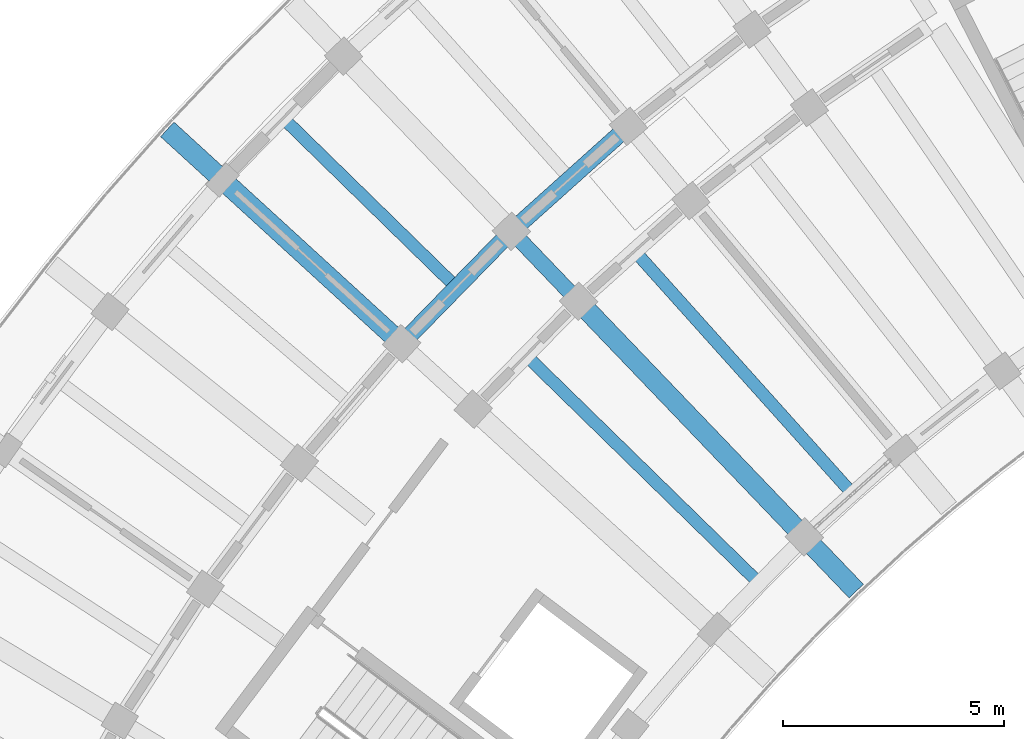
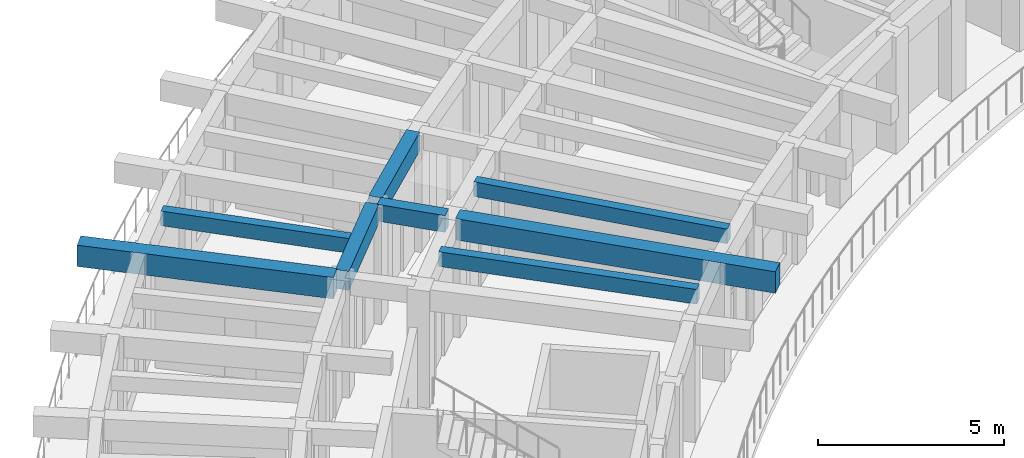
# One storey, part 39 of 128: 8 beams.
"""IFC4 building model written with IfcOpenShell, lengths in metres."""

import ifcopenshell
import ifcopenshell.guid

model = None  # the IFC model being written
_history = None  # IfcOwnerHistory: only IFC2X3 demands one
_inside = {}  # id of a spatial element -> (the spatial element, [elements in it])
_under = {}  # id of a project, library or spatial element -> (it, [spatial elements below it])
_declared = {}  # id of a project -> (the project, [libraries it declares])
_typed = {}  # id of a type object -> (the type object, [elements of that type])
_made_of = {}  # id of a material, layer set ... -> (it, [elements and type objects made of it])


def new_model(schema):
    """Start an empty IFC model of exactly this schema.

    Asked for "IFC4X3", IfcOpenShell would pick the latest addendum, in which some entities
    have other attributes; the version numbers below select the first issue.
    IFC2X3 requires an IfcOwnerHistory on every rooted entity: one is made here for all.
    """
    global model, _history
    if schema == "IFC4X3":
        model = ifcopenshell.file(schema_version=(4, 3, 0, 0))
    else:
        model = ifcopenshell.file(schema=schema)
    _inside.clear()
    _under.clear()
    _declared.clear()
    _typed.clear()
    _made_of.clear()
    _history = None
    if model.schema == "IFC2X3":
        org = make("IfcOrganization", Name="unknown")
        user = make(
            "IfcPersonAndOrganization",
            ThePerson=make("IfcPerson", FamilyName="unknown"),
            TheOrganization=org,
        )
        app = make(
            "IfcApplication",
            ApplicationDeveloper=org,
            Version="unknown",
            ApplicationFullName="unknown",
            ApplicationIdentifier="unknown",
        )
        _history = make(
            "IfcOwnerHistory",
            OwningUser=user,
            OwningApplication=app,
            ChangeAction="ADDED",
            CreationDate=0,
        )
    return model


def make(cls, **values):
    """One entity of the class cls with the attributes given. An attribute that is None is left unset."""
    return model.create_entity(
        cls, **{name: value for name, value in values.items() if value is not None}
    )


def rooted(cls, **values):
    """An entity with a GlobalId (a new one), such as an element, a storey or a relation."""
    return make(cls, GlobalId=ifcopenshell.guid.new(), OwnerHistory=_history, **values)


def si_unit(unit_type, name, prefix=None):
    """IfcSIUnit, for example si_unit("LENGTHUNIT", "METRE", prefix="MILLI")."""
    return make("IfcSIUnit", UnitType=unit_type, Prefix=prefix, Name=name)


def assignment(units):
    """IfcUnitAssignment: the units of a project."""
    return None if units is None else make("IfcUnitAssignment", Units=units)


def point(xyz):
    """IfcCartesianPoint."""
    return None if xyz is None else make("IfcCartesianPoint", Coordinates=xyz)


def direction(xyz):
    """IfcDirection."""
    return None if xyz is None else make("IfcDirection", DirectionRatios=xyz)


def frame(location, z_axis=None, x_axis=None):
    """IfcAxis2Placement3D, a coordinate frame: its origin and axes. An axis left out is left unset."""
    return make(
        "IfcAxis2Placement3D",
        Location=point(location),
        Axis=direction(z_axis),
        RefDirection=direction(x_axis),
    )


def frame_2d(location, x_axis=None):
    """IfcAxis2Placement2D, a coordinate frame in the plane: its origin and x axis."""
    return make(
        "IfcAxis2Placement2D", Location=point(location), RefDirection=direction(x_axis)
    )


def origin():
    """The frame at (0, 0, 0) with its axes left unset."""
    return frame((0.0, 0.0, 0.0))


def origin_2d():
    """The frame at (0, 0) in the plane with its x axis left unset."""
    return frame_2d((0.0, 0.0))


def place(relative_to, where):
    """IfcLocalPlacement: puts the frame where relative to a parent placement (None: the world)."""
    return make(
        "IfcLocalPlacement", PlacementRelTo=relative_to, RelativePlacement=where
    )


def context(
    kind, dimensions, precision=None, world=None, true_north=None, identifier=None
):
    """IfcGeometricRepresentationContext, for example the 3D "Model" context."""
    return make(
        "IfcGeometricRepresentationContext",
        ContextIdentifier=identifier,
        ContextType=kind,
        CoordinateSpaceDimension=dimensions,
        Precision=precision,
        WorldCoordinateSystem=world,
        TrueNorth=true_north,
    )


def subcontext(parent, identifier, kind, view, scale=None):
    """IfcGeometricRepresentationSubContext, for example "Body" below "Model"."""
    return make(
        "IfcGeometricRepresentationSubContext",
        ContextIdentifier=identifier,
        ContextType=kind,
        ParentContext=parent,
        TargetScale=scale,
        TargetView=view,
    )


def project(units=None, contexts=None):
    """IfcProject with its units and contexts."""
    return rooted(
        "IfcProject",
        Name="project",
        RepresentationContexts=contexts,
        UnitsInContext=assignment(units),
    )


def spatial(cls, under=None, at=None, **own):
    """A site, building, storey or space (cls), placed at a placement, below another one or the project."""
    s = rooted(cls, ObjectPlacement=at, **own)
    if under is not None:
        _under.setdefault(under.id(), (under, []))[1].append(s)
    return s


def profile(cls, at=None, kind="AREA", **sizes):
    """A parametric profile (cls). Its sizes go by their IFC names, for example OverallWidth=200.0."""
    return make(cls, ProfileType=kind, Position=at, **sizes)


def rectangle(**sizes):
    """IfcRectangleProfileDef."""
    return profile("IfcRectangleProfileDef", **sizes)


def extrude(swept, where, along, depth):
    """IfcExtrudedAreaSolid: the profile swept, set in the frame where, extruded along a direction by depth."""
    return make(
        "IfcExtrudedAreaSolid",
        SweptArea=swept,
        Position=where,
        ExtrudedDirection=direction(along),
        Depth=depth,
    )


def shape(context_of_items, identifier, shape_type, items):
    """IfcShapeRepresentation: the items that make up one representation, for example the "Body"."""
    return make(
        "IfcShapeRepresentation",
        ContextOfItems=context_of_items,
        RepresentationIdentifier=identifier,
        RepresentationType=shape_type,
        Items=items,
    )


def material(Name=None, Category=None):
    """IfcMaterial."""
    return make("IfcMaterial", Name=Name, Category=Category)


def material_profile(
    of_material, cross_section, Name=None, Category=None, Priority=None
):
    """IfcMaterialProfile: a cross section and its material."""
    return make(
        "IfcMaterialProfile",
        Name=Name,
        Material=of_material,
        Profile=cross_section,
        Priority=Priority,
        Category=Category,
    )


def profile_set(profiles, Name=None, composite=None):
    """IfcMaterialProfileSet."""
    return make(
        "IfcMaterialProfileSet",
        Name=Name,
        MaterialProfiles=profiles,
        CompositeProfile=composite,
    )


def made_of(thing, what):
    """Note that an element or type object is made of a material, layer set ...; save() writes the relation."""
    if what is not None:
        _made_of.setdefault(what.id(), (what, []))[1].append(thing)
    return thing


def type_object(cls, material=None, **own):
    """A type object (cls), such as IfcWallType, which elements share."""
    return made_of(rooted(cls, **own), material)


def element(
    cls,
    number,
    at=None,
    inside=None,
    cuts=None,
    type_object=None,
    material=None,
    context=None,
    identifier="Body",
    shape_type=None,
    held_by="IfcProductDefinitionShape",
    body=None,
    shapes=None,
    **own,
):
    """One element of the class cls, such as IfcWall. Its Tag is "e" and its number.

    at: its placement. inside: the storey or other place that contains it. cuts: it is an
    opening in that element (IfcRelVoidsElement). A single representation is given by context,
    identifier, shape_type and body (its items); several are given by shapes. held_by: the class
    of the entity that holds the representations. save() writes the other relations.
    """
    e = rooted(cls, Tag="e%d" % number, ObjectPlacement=at, **own)
    if body is not None:
        shapes = [shape(context, identifier, shape_type, body)]
    if shapes is not None:
        e.Representation = make(held_by, Representations=shapes)
    if inside is not None:
        _inside.setdefault(inside.id(), (inside, []))[1].append(e)
    if cuts is not None:
        rooted(
            "IfcRelVoidsElement", RelatingBuildingElement=cuts, RelatedOpeningElement=e
        )
    if type_object is not None:
        _typed.setdefault(type_object.id(), (type_object, []))[1].append(e)
    return made_of(e, material)


def aggregate(whole, parts):
    """IfcRelAggregates: a whole, such as a stair, and the parts it consists of."""
    return rooted("IfcRelAggregates", RelatingObject=whole, RelatedObjects=parts)


def save(model, path):
    """Write the relations noted so far, then the file.

    IfcRelAggregates (storeys below a building ...), IfcRelContainedInSpatialStructure (elements
    in a storey), IfcRelDefinesByType, IfcRelAssociatesMaterial and IfcRelDeclares: one each for
    every whole, place, type object, material and project.
    """
    for whole, parts in _under.values():
        aggregate(whole, parts)
    for where, things in _inside.values():
        rooted(
            "IfcRelContainedInSpatialStructure",
            RelatedElements=things,
            RelatingStructure=where,
        )
    for kind, things in _typed.values():
        rooted("IfcRelDefinesByType", RelatedObjects=things, RelatingType=kind)
    for what, things in _made_of.values():
        rooted("IfcRelAssociatesMaterial", RelatedObjects=things, RelatingMaterial=what)
    for by, libraries in _declared.values():
        rooted("IfcRelDeclares", RelatingContext=by, RelatedDefinitions=libraries)
    model.write(path)


model = new_model("IFC4")

# Units and contexts
model_context = context("Model", 3, precision=1e-05, world=origin(), true_north=direction((0.0, 1.0)))
body_context = subcontext(model_context, "Body", "Model", "MODEL_VIEW")
ifc_project = project(units=[si_unit("LENGTHUNIT", "METRE"), si_unit("AREAUNIT", "SQUARE_METRE"), si_unit("VOLUMEUNIT", "CUBIC_METRE"), si_unit("PLANEANGLEUNIT", "RADIAN"), si_unit("MASSUNIT", "GRAM", prefix="KILO")], contexts=[model_context])

# Site, building, storey
site_placement = place(None, origin())
site = spatial("IfcSite", under=ifc_project, at=site_placement, CompositionType="ELEMENT")
building_placement = place(site_placement, origin())
building = spatial("IfcBuilding", under=site, at=building_placement, Name="Tanwirah Colonnade Gardens", CompositionType="ELEMENT")
storey_placement = place(building_placement, frame((0.0, 0.0, 4.760009765625)))
storey = spatial("IfcBuildingStorey", under=building, at=storey_placement, Name="L01", CompositionType="ELEMENT", Elevation=4.760009765625)

# Beams
ifc_material_1 = material(Name="Precast concrete C40/50", Category="concrete")
ifc_material_profile_1 = material_profile(ifc_material_1, rectangle(XDim=0.35009765625, YDim=0.550048828125, at=origin_2d()), Name="PC-BM 350x550")
ifc_profile_set_1 = profile_set([ifc_material_profile_1], Name="Precast concrete C40/50")
beam_type_1 = type_object("IfcBeamType", Name="BM-PC350A", PredefinedType="BEAM", material=ifc_profile_set_1)
beam_1_placement = place(storey_placement, frame((29.023193359375, 97.74560546875, 3.550048828125), z_axis=(-0.691913735329, 0.721980181766, 0.0), x_axis=(-0.721980181766, -0.691913735329, 0.0)))
element("IfcBeam", 1, at=beam_1_placement, inside=storey, type_object=beam_type_1, Name="Block A L01 Corridor Tie Beam 10", PredefinedType="BEAM", context=body_context, shape_type="SweptSolid", body=[
    extrude(rectangle(XDim=0.35009765625, YDim=0.550048828125, at=origin_2d()), origin(), (0.0, 0.0, 1.0), 1.900146484375),
])
ifc_material_profile_2 = material_profile(ifc_material_1, rectangle(XDim=0.3798828125, YDim=0.6201171875, at=origin_2d()), Name="PC-BM 380x620")
ifc_profile_set_2 = profile_set([ifc_material_profile_2], Name="Precast concrete C40/50")
beam_type_2 = type_object("IfcBeamType", Name="BM-PC380", PredefinedType="BEAM", material=ifc_profile_set_2)
beam_2_placement = place(storey_placement, frame((30.145751953125, 101.504638671875, 3.514892578125), z_axis=(-0.744409136578, -0.667723773262, 0.0), x_axis=(0.667723773262, -0.744409136578, 0.0)))
element("IfcBeam", 2, at=beam_2_placement, inside=storey, type_object=beam_type_2, Name="Block A L01 Circumferential Beam 9-R2", PredefinedType="BEAM", context=body_context, shape_type="SweptSolid", body=[
    extrude(rectangle(XDim=0.3798828125, YDim=0.6201171875, at=origin_2d()), origin(), (0.0, 0.0, 1.0), 3.26318359375),
])
beam_3_placement = place(storey_placement, frame((27.5, 99.118408203125, 3.514892578125), z_axis=(-0.698829447339, -0.71528833594, 0.0), x_axis=(0.71528833594, -0.698829447339, 0.0)))
element("IfcBeam", 3, at=beam_3_placement, inside=storey, type_object=beam_type_2, Name="Block A L01 Circumferential Beam 10-R2", PredefinedType="BEAM", context=body_context, shape_type="SweptSolid", body=[
    extrude(rectangle(XDim=0.3798828125, YDim=0.6201171875, at=origin_2d()), origin(), (0.0, 0.0, 1.0), 3.263427734375),
])
ifc_material_2 = material(Name="Precast concrete C45/55", Category="concrete")
ifc_material_profile_3 = material_profile(ifc_material_2, rectangle(XDim=0.449951171875, YDim=0.699951171875, at=origin_2d()), Name="PC-BM 450x700")
ifc_profile_set_3 = profile_set([ifc_material_profile_3], Name="Precast concrete C45/55")
beam_type_3 = type_object("IfcBeamType", Name="BM-PC450", PredefinedType="BEAM", material=ifc_profile_set_3)
beam_4_placement = place(storey_placement, frame((29.230712890625, 97.52880859375, 3.47509765625), z_axis=(0.691860926595, -0.722030787606, 0.0), x_axis=(0.722030787606, 0.691860926595, 0.0)))
element("IfcBeam", 4, at=beam_4_placement, inside=storey, type_object=beam_type_3, Name="Block A L01 Inner Radial Precast Girder 10", PredefinedType="BEAM", context=body_context, shape_type="SweptSolid", body=[
    extrude(rectangle(XDim=0.449951171875, YDim=0.699951171875, at=origin_2d()), origin(), (0.0, 0.0, 1.0), 8.949951171875),
])
beam_5_placement = place(storey_placement, frame((25.004150390625, 96.7783203125, 3.47509765625), z_axis=(-0.737934199263, 0.674872667663, 0.0), x_axis=(-0.674872667663, -0.737934199263, 0.0)))
element("IfcBeam", 5, at=beam_5_placement, inside=storey, type_object=beam_type_3, Name="Block A L01 Outer Radial Precast Girder 11", PredefinedType="BEAM", context=body_context, shape_type="SweptSolid", body=[
    extrude(rectangle(XDim=0.449951171875, YDim=0.699951171875, at=origin_2d()), origin(), (0.0, 0.0, 1.0), 7.050048828125),
])
ifc_material_profile_4 = material_profile(ifc_material_1, rectangle(XDim=0.280029296875, YDim=0.47998046875, at=origin_2d()), Name="PC-JST 280x480")
ifc_profile_set_4 = profile_set([ifc_material_profile_4], Name="Precast concrete C40/50")
beam_type_4 = type_object("IfcBeamType", Name="JST-PC280", PredefinedType="JOIST", material=ifc_profile_set_4)
beam_6_placement = place(storey_placement, frame((35.2412109375, 93.379638671875, 3.5849609375), z_axis=(-0.667688404274, 0.744440860511, 0.0), x_axis=(-0.744440860511, -0.667688404274, 0.0)))
element("IfcBeam", 6, at=beam_6_placement, inside=storey, type_object=beam_type_4, Name="Block A L01 Inner Precast Floor Joist 9", PredefinedType="JOIST", context=body_context, shape_type="SweptSolid", body=[
    extrude(rectangle(XDim=0.280029296875, YDim=0.47998046875, at=origin_2d()), origin(), (0.0, 0.0, 1.0), 7.16015625),
])
beam_7_placement = place(storey_placement, frame((26.2529296875, 98.0556640625, 3.5849609375), z_axis=(-0.715297399369, 0.698820170327, 0.0), x_axis=(-0.698820170327, -0.715297399369, 0.0)))
element("IfcBeam", 7, at=beam_7_placement, inside=storey, type_object=beam_type_4, Name="Block A L01 Precast Floor Joist 10", PredefinedType="JOIST", context=body_context, shape_type="SweptSolid", body=[
    extrude(rectangle(XDim=0.280029296875, YDim=0.47998046875, at=origin_2d()), origin(), (0.0, 0.0, 1.0), 5.260009765625),
])
beam_8_placement = place(storey_placement, frame((33.11962890625, 91.346923828125, 3.5849609375), z_axis=(-0.715276680509, 0.698841377081, 0.0), x_axis=(-0.698841377081, -0.715276680509, 0.0)))
element("IfcBeam", 8, at=beam_8_placement, inside=storey, type_object=beam_type_4, Name="Block A L01 Inner Precast Floor Joist 10", PredefinedType="JOIST", context=body_context, shape_type="SweptSolid", body=[
    extrude(rectangle(XDim=0.280029296875, YDim=0.47998046875, at=origin_2d()), origin(), (0.0, 0.0, 1.0), 7.159912109375),
])

save(model, "model.ifc")
